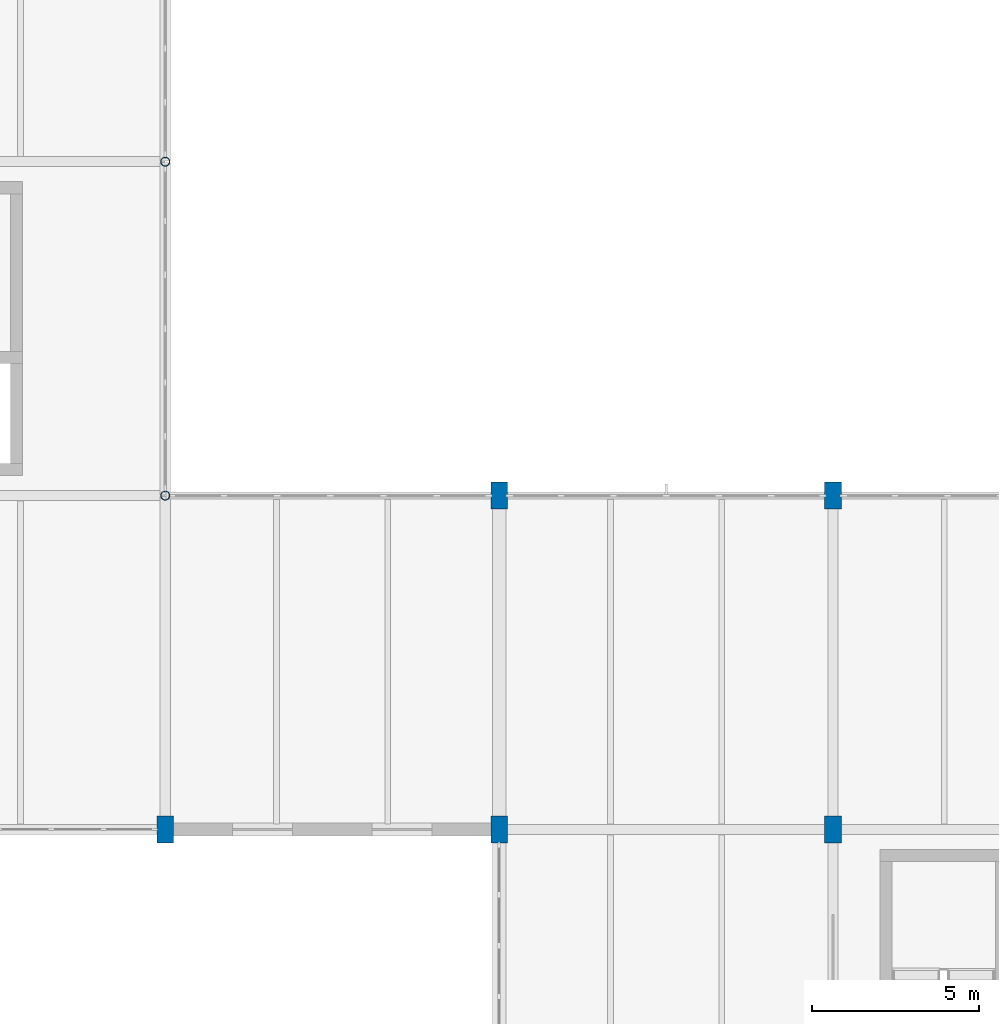
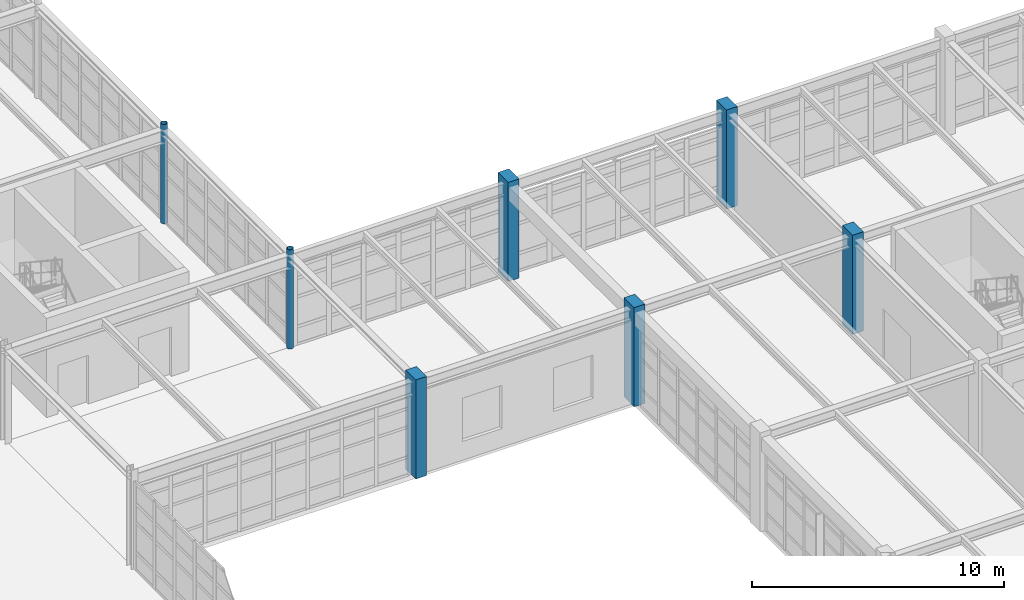
# One storey, part 21 of 139: 7 columns.
"""IFC4 building model written with IfcOpenShell, lengths in metres."""

import ifcopenshell
import ifcopenshell.guid

model = None  # the IFC model being written
_history = None  # IfcOwnerHistory: only IFC2X3 demands one
_inside = {}  # id of a spatial element -> (the spatial element, [elements in it])
_under = {}  # id of a project, library or spatial element -> (it, [spatial elements below it])
_declared = {}  # id of a project -> (the project, [libraries it declares])
_typed = {}  # id of a type object -> (the type object, [elements of that type])
_made_of = {}  # id of a material, layer set ... -> (it, [elements and type objects made of it])


def new_model(schema):
    """Start an empty IFC model of exactly this schema.

    Asked for "IFC4X3", IfcOpenShell would pick the latest addendum, in which some entities
    have other attributes; the version numbers below select the first issue.
    IFC2X3 requires an IfcOwnerHistory on every rooted entity: one is made here for all.
    """
    global model, _history
    if schema == "IFC4X3":
        model = ifcopenshell.file(schema_version=(4, 3, 0, 0))
    else:
        model = ifcopenshell.file(schema=schema)
    _inside.clear()
    _under.clear()
    _declared.clear()
    _typed.clear()
    _made_of.clear()
    _history = None
    if model.schema == "IFC2X3":
        org = make("IfcOrganization", Name="unknown")
        user = make(
            "IfcPersonAndOrganization",
            ThePerson=make("IfcPerson", FamilyName="unknown"),
            TheOrganization=org,
        )
        app = make(
            "IfcApplication",
            ApplicationDeveloper=org,
            Version="unknown",
            ApplicationFullName="unknown",
            ApplicationIdentifier="unknown",
        )
        _history = make(
            "IfcOwnerHistory",
            OwningUser=user,
            OwningApplication=app,
            ChangeAction="ADDED",
            CreationDate=0,
        )
    return model


def make(cls, **values):
    """One entity of the class cls with the attributes given. An attribute that is None is left unset."""
    return model.create_entity(
        cls, **{name: value for name, value in values.items() if value is not None}
    )


def rooted(cls, **values):
    """An entity with a GlobalId (a new one), such as an element, a storey or a relation."""
    return make(cls, GlobalId=ifcopenshell.guid.new(), OwnerHistory=_history, **values)


def si_unit(unit_type, name, prefix=None):
    """IfcSIUnit, for example si_unit("LENGTHUNIT", "METRE", prefix="MILLI")."""
    return make("IfcSIUnit", UnitType=unit_type, Prefix=prefix, Name=name)


def assignment(units):
    """IfcUnitAssignment: the units of a project."""
    return None if units is None else make("IfcUnitAssignment", Units=units)


def point(xyz):
    """IfcCartesianPoint."""
    return None if xyz is None else make("IfcCartesianPoint", Coordinates=xyz)


def direction(xyz):
    """IfcDirection."""
    return None if xyz is None else make("IfcDirection", DirectionRatios=xyz)


def frame(location, z_axis=None, x_axis=None):
    """IfcAxis2Placement3D, a coordinate frame: its origin and axes. An axis left out is left unset."""
    return make(
        "IfcAxis2Placement3D",
        Location=point(location),
        Axis=direction(z_axis),
        RefDirection=direction(x_axis),
    )


def frame_2d(location, x_axis=None):
    """IfcAxis2Placement2D, a coordinate frame in the plane: its origin and x axis."""
    return make(
        "IfcAxis2Placement2D", Location=point(location), RefDirection=direction(x_axis)
    )


def origin():
    """The frame at (0, 0, 0) with its axes left unset."""
    return frame((0.0, 0.0, 0.0))


def origin_2d():
    """The frame at (0, 0) in the plane with its x axis left unset."""
    return frame_2d((0.0, 0.0))


def place(relative_to, where):
    """IfcLocalPlacement: puts the frame where relative to a parent placement (None: the world)."""
    return make(
        "IfcLocalPlacement", PlacementRelTo=relative_to, RelativePlacement=where
    )


def context(
    kind, dimensions, precision=None, world=None, true_north=None, identifier=None
):
    """IfcGeometricRepresentationContext, for example the 3D "Model" context."""
    return make(
        "IfcGeometricRepresentationContext",
        ContextIdentifier=identifier,
        ContextType=kind,
        CoordinateSpaceDimension=dimensions,
        Precision=precision,
        WorldCoordinateSystem=world,
        TrueNorth=true_north,
    )


def subcontext(parent, identifier, kind, view, scale=None):
    """IfcGeometricRepresentationSubContext, for example "Body" below "Model"."""
    return make(
        "IfcGeometricRepresentationSubContext",
        ContextIdentifier=identifier,
        ContextType=kind,
        ParentContext=parent,
        TargetScale=scale,
        TargetView=view,
    )


def project(units=None, contexts=None):
    """IfcProject with its units and contexts."""
    return rooted(
        "IfcProject",
        Name="project",
        RepresentationContexts=contexts,
        UnitsInContext=assignment(units),
    )


def spatial(cls, under=None, at=None, **own):
    """A site, building, storey or space (cls), placed at a placement, below another one or the project."""
    s = rooted(cls, ObjectPlacement=at, **own)
    if under is not None:
        _under.setdefault(under.id(), (under, []))[1].append(s)
    return s


def profile(cls, at=None, kind="AREA", **sizes):
    """A parametric profile (cls). Its sizes go by their IFC names, for example OverallWidth=200.0."""
    return make(cls, ProfileType=kind, Position=at, **sizes)


def rectangle(**sizes):
    """IfcRectangleProfileDef."""
    return profile("IfcRectangleProfileDef", **sizes)


def hollow_circle(**sizes):
    """IfcCircleHollowProfileDef."""
    return profile("IfcCircleHollowProfileDef", **sizes)


def extrude(swept, where, along, depth):
    """IfcExtrudedAreaSolid: the profile swept, set in the frame where, extruded along a direction by depth."""
    return make(
        "IfcExtrudedAreaSolid",
        SweptArea=swept,
        Position=where,
        ExtrudedDirection=direction(along),
        Depth=depth,
    )


def shape(context_of_items, identifier, shape_type, items):
    """IfcShapeRepresentation: the items that make up one representation, for example the "Body"."""
    return make(
        "IfcShapeRepresentation",
        ContextOfItems=context_of_items,
        RepresentationIdentifier=identifier,
        RepresentationType=shape_type,
        Items=items,
    )


def material(Name=None, Category=None):
    """IfcMaterial."""
    return make("IfcMaterial", Name=Name, Category=Category)


def material_profile(
    of_material, cross_section, Name=None, Category=None, Priority=None
):
    """IfcMaterialProfile: a cross section and its material."""
    return make(
        "IfcMaterialProfile",
        Name=Name,
        Material=of_material,
        Profile=cross_section,
        Priority=Priority,
        Category=Category,
    )


def profile_set(profiles, Name=None, composite=None):
    """IfcMaterialProfileSet."""
    return make(
        "IfcMaterialProfileSet",
        Name=Name,
        MaterialProfiles=profiles,
        CompositeProfile=composite,
    )


def made_of(thing, what):
    """Note that an element or type object is made of a material, layer set ...; save() writes the relation."""
    if what is not None:
        _made_of.setdefault(what.id(), (what, []))[1].append(thing)
    return thing


def type_object(cls, material=None, **own):
    """A type object (cls), such as IfcWallType, which elements share."""
    return made_of(rooted(cls, **own), material)


def element(
    cls,
    number,
    at=None,
    inside=None,
    cuts=None,
    type_object=None,
    material=None,
    context=None,
    identifier="Body",
    shape_type=None,
    held_by="IfcProductDefinitionShape",
    body=None,
    shapes=None,
    **own,
):
    """One element of the class cls, such as IfcWall. Its Tag is "e" and its number.

    at: its placement. inside: the storey or other place that contains it. cuts: it is an
    opening in that element (IfcRelVoidsElement). A single representation is given by context,
    identifier, shape_type and body (its items); several are given by shapes. held_by: the class
    of the entity that holds the representations. save() writes the other relations.
    """
    e = rooted(cls, Tag="e%d" % number, ObjectPlacement=at, **own)
    if body is not None:
        shapes = [shape(context, identifier, shape_type, body)]
    if shapes is not None:
        e.Representation = make(held_by, Representations=shapes)
    if inside is not None:
        _inside.setdefault(inside.id(), (inside, []))[1].append(e)
    if cuts is not None:
        rooted(
            "IfcRelVoidsElement", RelatingBuildingElement=cuts, RelatedOpeningElement=e
        )
    if type_object is not None:
        _typed.setdefault(type_object.id(), (type_object, []))[1].append(e)
    return made_of(e, material)


def aggregate(whole, parts):
    """IfcRelAggregates: a whole, such as a stair, and the parts it consists of."""
    return rooted("IfcRelAggregates", RelatingObject=whole, RelatedObjects=parts)


def save(model, path):
    """Write the relations noted so far, then the file.

    IfcRelAggregates (storeys below a building ...), IfcRelContainedInSpatialStructure (elements
    in a storey), IfcRelDefinesByType, IfcRelAssociatesMaterial and IfcRelDeclares: one each for
    every whole, place, type object, material and project.
    """
    for whole, parts in _under.values():
        aggregate(whole, parts)
    for where, things in _inside.values():
        rooted(
            "IfcRelContainedInSpatialStructure",
            RelatedElements=things,
            RelatingStructure=where,
        )
    for kind, things in _typed.values():
        rooted("IfcRelDefinesByType", RelatedObjects=things, RelatingType=kind)
    for what, things in _made_of.values():
        rooted("IfcRelAssociatesMaterial", RelatedObjects=things, RelatingMaterial=what)
    for by, libraries in _declared.values():
        rooted("IfcRelDeclares", RelatingContext=by, RelatedDefinitions=libraries)
    model.write(path)


model = new_model("IFC4")

# Units and contexts
model_context = context("Model", 3, precision=1e-05, world=origin(), true_north=direction((0.0, 1.0)))
body_context = subcontext(model_context, "Body", "Model", "MODEL_VIEW")
ifc_project = project(units=[si_unit("LENGTHUNIT", "METRE"), si_unit("AREAUNIT", "SQUARE_METRE"), si_unit("VOLUMEUNIT", "CUBIC_METRE"), si_unit("PLANEANGLEUNIT", "RADIAN"), si_unit("MASSUNIT", "GRAM", prefix="KILO"), si_unit("THERMODYNAMICTEMPERATUREUNIT", "KELVIN"), si_unit("POWERUNIT", "WATT")], contexts=[model_context])

# Site, building, storey
site_placement = place(None, origin())
site = spatial("IfcSite", under=ifc_project, at=site_placement, CompositionType="ELEMENT")
building_placement = place(site_placement, origin())
building = spatial("IfcBuilding", under=site, at=building_placement, Name="Korenveer Ferry Terminal", CompositionType="ELEMENT")
storey_placement = place(building_placement, frame((0.0, 0.0, 5.39990234375)))
storey = spatial("IfcBuildingStorey", under=building, at=storey_placement, Name="L01", CompositionType="ELEMENT", Elevation=5.39990234375)

# Columns
ifc_material_1 = material(Name="Steel S355", Category="steel")
ifc_material_profile_1 = material_profile(ifc_material_1, hollow_circle(Radius=0.136474609375, WallThickness=0.012451171875, at=origin_2d()), Name="CHS 273x12.5")
ifc_profile_set_1 = profile_set([ifc_material_profile_1], Name="Steel S355")
column_type_1 = type_object("IfcColumnType", Name="STR-COL-CHS273", PredefinedType="COLUMN", material=ifc_profile_set_1)
for number, where, z_axis, x_axis, name in (
    (1, (136.0, 80.0, 0.0), (0.0, 0.0, 1.0), (1.0, 0.0, 0.0), "Column COL-L01-X136-Y80"),
    (2, (136.0, 90.0, 0.0), (0.0, 0.0, 1.0), (1.0, 0.0, 0.0), "Column COL-L01-X136-Y90"),
):
    element("IfcColumn", number, at=place(storey_placement, frame(where, z_axis=z_axis, x_axis=x_axis)), inside=storey, type_object=column_type_1, Name=name, PredefinedType="COLUMN", context=body_context, shape_type="SweptSolid", body=[
        extrude(hollow_circle(Radius=0.136474609375, WallThickness=0.012451171875, at=origin_2d()), origin(), (0.0, 0.0, 1.0), 4.800048828125),
    ])
ifc_material_2 = material(Name="Concrete C45/55", Category="concrete")
ifc_material_profile_2 = material_profile(ifc_material_2, rectangle(XDim=0.5, YDim=0.800048828125, at=origin_2d()), Name="RC 500x800")
ifc_profile_set_2 = profile_set([ifc_material_profile_2], Name="Concrete C45/55")
column_type_2 = type_object("IfcColumnType", Name="STR-COL-RC500X800", PredefinedType="COLUMN", material=ifc_profile_set_2)
for number, where, z_axis, x_axis, name in (
    (3, (136.0, 70.0, 0.0), (0.0, 0.0, 1.0), (1.0, 0.0, 0.0), "Column COL-L01-X136-Y70"),
    (4, (146.0, 70.0, 0.0), (0.0, 0.0, 1.0), (1.0, 0.0, 0.0), "Column COL-L01-X146-Y70"),
    (5, (146.0, 80.0, 0.0), (0.0, 0.0, 1.0), (1.0, 0.0, 0.0), "Column COL-L01-X146-Y80"),
    (6, (156.0, 70.0, 0.0), (0.0, 0.0, 1.0), (1.0, 0.0, 0.0), "Column COL-L01-X156-Y70"),
    (7, (156.0, 80.0, 0.0), (0.0, 0.0, 1.0), (1.0, 0.0, 0.0), "Column COL-L01-X156-Y80"),
):
    element("IfcColumn", number, at=place(storey_placement, frame(where, z_axis=z_axis, x_axis=x_axis)), inside=storey, type_object=column_type_2, Name=name, PredefinedType="COLUMN", context=body_context, shape_type="SweptSolid", body=[
        extrude(rectangle(XDim=0.5, YDim=0.800048828125, at=origin_2d()), origin(), (0.0, 0.0, 1.0), 4.800048828125),
    ])

save(model, "model.ifc")
